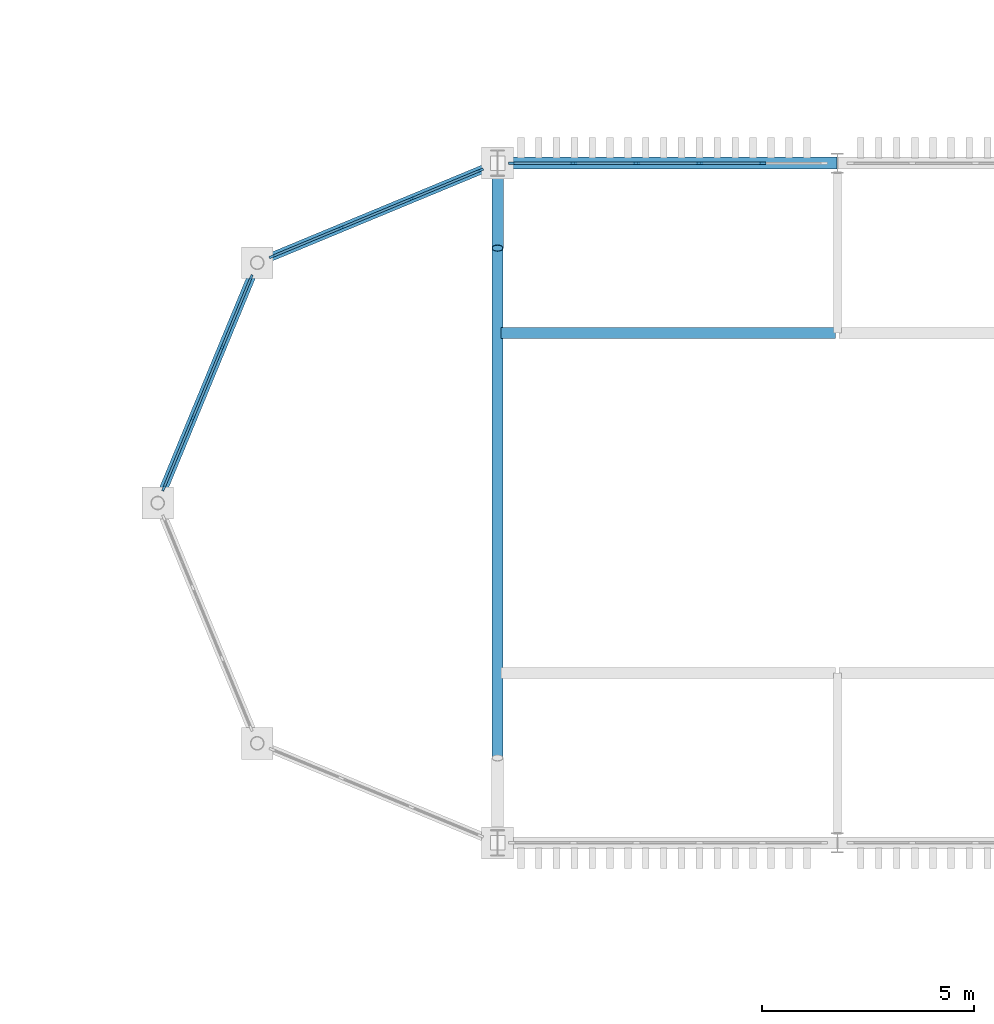
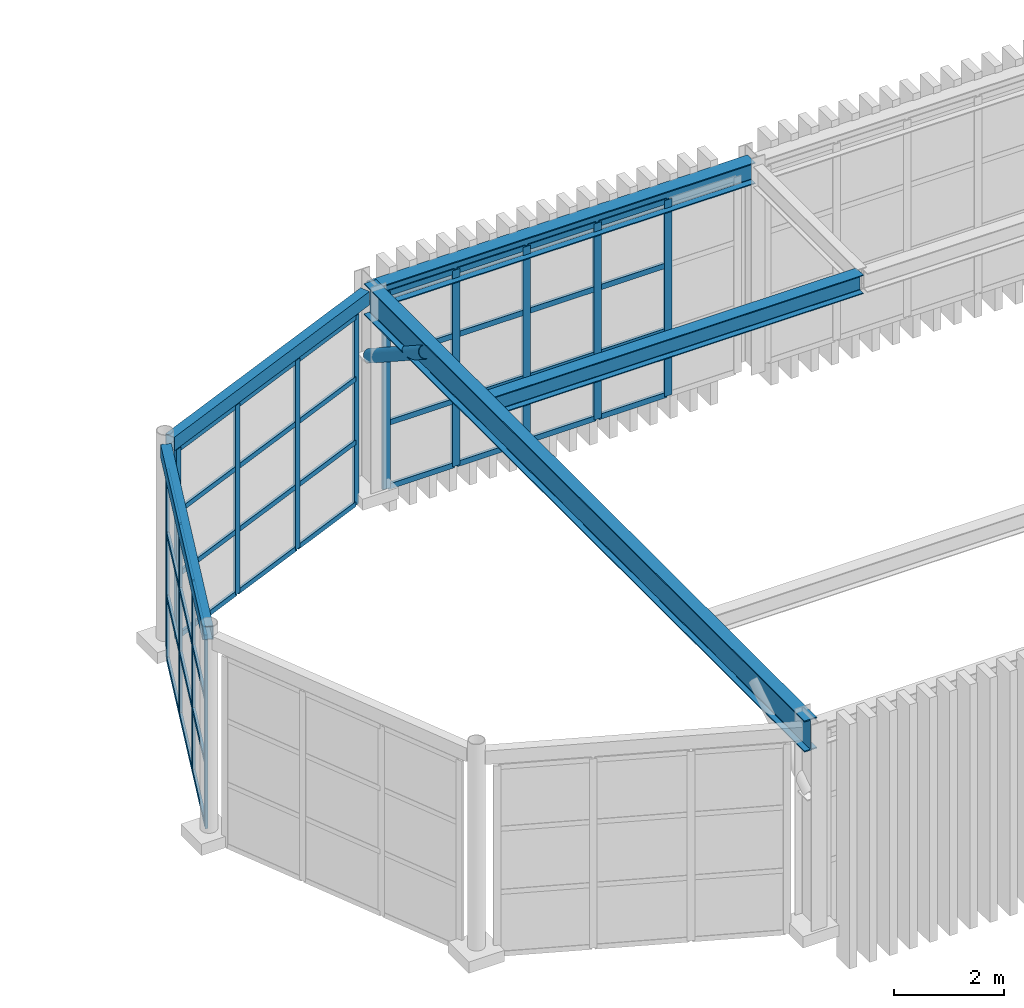
# One storey, part 22 of 61: 54 members, 5 beams, 3 elements without a shape of their own.
"""IFC4 building model written with IfcOpenShell, lengths in metres."""

from ifc_helpers import new_model, si_unit, direction, frame, origin, origin_2d, place, context, subcontext, project, spatial, rectangle, hollow_rectangle, hollow_circle, i_section, extrude, material, material_profile, profile_set, type_object, element, aggregate, save


model = new_model("IFC4")

# Units and contexts
model_context = context("Model", 3, precision=1e-05, world=origin(), true_north=direction((0.0, 1.0)))
body_context = subcontext(model_context, "Body", "Model", "MODEL_VIEW")
ifc_project = project(units=[si_unit("LENGTHUNIT", "METRE"), si_unit("AREAUNIT", "SQUARE_METRE"), si_unit("VOLUMEUNIT", "CUBIC_METRE"), si_unit("PLANEANGLEUNIT", "RADIAN"), si_unit("MASSUNIT", "GRAM", prefix="KILO")], contexts=[model_context])

# Site, building, storey
site_placement = place(None, origin())
site = spatial("IfcSite", under=ifc_project, at=site_placement, CompositionType="ELEMENT")
building_placement = place(site_placement, origin())
building = spatial("IfcBuilding", under=site, at=building_placement, Name="Serraluz Foothill Cableway Terminal", CompositionType="ELEMENT")
storey_placement = place(building_placement, frame((0.0, 0.0, 15.0)))
storey = spatial("IfcBuildingStorey", under=building, at=storey_placement, Name="L03", CompositionType="ELEMENT", Elevation=15.0)

# Beam
ifc_material_1 = material(Name="Steel ASTM A992 Grade 50", Category="steel")
ifc_material_profile_1 = material_profile(ifc_material_1, i_section(OverallWidth=0.256103515625, OverallDepth=0.693115234375, WebThickness=0.014404296875, FlangeThickness=0.023681640625, FilletRadius=0.02001953125, at=origin_2d()), Name="W27X114")
ifc_profile_set_1 = profile_set([ifc_material_profile_1], Name="Steel ASTM A992 Grade 50")
beam_type_1 = type_object("IfcBeamType", Name="TYP-BM-W27X114", PredefinedType="BEAM", material=ifc_profile_set_1)
beam_1_placement = place(storey_placement, frame((40.0, 56.0, 4.35009765625), z_axis=(0.0, 1.0, 0.0), x_axis=(-1.0, 0.0, 0.0)))
element("IfcBeam", 1, at=beam_1_placement, inside=storey, type_object=beam_type_1, Name="ROOF TRUSS TR-01 Tie Girder", PredefinedType="BEAM", context=body_context, shape_type="SweptSolid", body=[
    extrude(i_section(OverallWidth=0.256103515625, OverallDepth=0.693115234375, WebThickness=0.014404296875, FlangeThickness=0.023681640625, FilletRadius=0.02001953125, at=origin_2d()), origin(), (0.0, 0.0, 1.0), 16.0),
])

# Curtain wall, members
ifc_material_2 = material(Name="Architectural bronze alloy C28000", Category="aluminium")
curtain_wall_type_1 = type_object("IfcCurtainWallType", Name="TYP-CW-440X360", PredefinedType="NOTDEFINED", material=ifc_material_2)
curtain_wall_1_placement = place(storey_placement, origin())
curtain_wall_1 = element("IfcCurtainWall", 2, at=curtain_wall_1_placement, inside=storey, type_object=curtain_wall_type_1, Name="Ribbed Glazed Curtain Wall CW-V1-W-L03-3", PredefinedType="NOTDEFINED")
ifc_material_3 = material(Name="Extruded aluminium 6063-T6", Category="aluminium")
ifc_material_profile_2 = material_profile(ifc_material_3, rectangle(XDim=0.054931640625, YDim=0.139892578125, at=origin_2d()), Name="ALU MULLION 55x140")
ifc_profile_set_2 = profile_set([ifc_material_profile_2], Name="Extruded aluminium 6063-T6")
member_type_1 = type_object("IfcMemberType", Name="TYP-CW-MUL-55X140", PredefinedType="MULLION", material=ifc_profile_set_2)
member_1_placement = place(storey_placement, frame((32.14501953125, 64.35009765625, 0.0), z_axis=(0.0, 0.0, 1.0), x_axis=(-0.923878982655, 0.382684759834, 0.0)))
member_1 = element("IfcMember", 3, at=member_1_placement, type_object=member_type_1, Name="CW-16 mullion 1", PredefinedType="MULLION", context=body_context, shape_type="SweptSolid", body=[
    extrude(rectangle(XDim=0.054931640625, YDim=0.139892578125, at=origin_2d()), origin(), (0.0, 0.0, 1.0), 4.199951171875),
])
member_2_placement = place(storey_placement, frame((32.825927734375, 65.993896484375, 0.0), z_axis=(0.0, 0.0, 1.0), x_axis=(-0.923878982655, 0.382684759834, 0.0)))
member_2 = element("IfcMember", 4, at=member_2_placement, type_object=member_type_1, Name="CW-16 mullion 2", PredefinedType="MULLION", context=body_context, shape_type="SweptSolid", body=[
    extrude(rectangle(XDim=0.054931640625, YDim=0.139892578125, at=origin_2d()), origin(), (0.0, 0.0, 1.0), 4.199951171875),
])
member_3_placement = place(storey_placement, frame((33.517333984375, 67.6630859375, 0.0), z_axis=(0.0, 0.0, 1.0), x_axis=(-0.923878982655, 0.382684759834, 0.0)))
member_3 = element("IfcMember", 5, at=member_3_placement, type_object=member_type_1, Name="CW-16 mullion 3", PredefinedType="MULLION", context=body_context, shape_type="SweptSolid", body=[
    extrude(rectangle(XDim=0.054931640625, YDim=0.139892578125, at=origin_2d()), origin(), (0.0, 0.0, 1.0), 4.199951171875),
])
member_4_placement = place(storey_placement, frame((34.197998046875, 69.306640625, 0.0), z_axis=(0.0, 0.0, 1.0), x_axis=(-0.923878982655, 0.382684759834, 0.0)))
member_4 = element("IfcMember", 6, at=member_4_placement, type_object=member_type_1, Name="CW-16 mullion 4", PredefinedType="MULLION", context=body_context, shape_type="SweptSolid", body=[
    extrude(rectangle(XDim=0.054931640625, YDim=0.139892578125, at=origin_2d()), origin(), (0.0, 0.0, 1.0), 4.199951171875),
])

curtain_wall_type_2 = type_object("IfcCurtainWallType", Name="TYP-CW-380X420", PredefinedType="NOTDEFINED", material=ifc_material_2)
curtain_wall_2_placement = place(storey_placement, origin())
curtain_wall_2 = element("IfcCurtainWall", 7, at=curtain_wall_2_placement, inside=storey, type_object=curtain_wall_type_2, Name="Ribbed Glazed Curtain Wall CW-V1-W-L03-4", PredefinedType="NOTDEFINED")
member_5_placement = place(storey_placement, frame((34.693359375, 69.802001953125, 0.0), z_axis=(0.0, 0.0, 1.0), x_axis=(-0.382681674752, 0.923880260537, 0.0)))
member_5 = element("IfcMember", 8, at=member_5_placement, type_object=member_type_1, Name="CW-17 mullion 1", PredefinedType="MULLION", context=body_context, shape_type="SweptSolid", body=[
    extrude(rectangle(XDim=0.054931640625, YDim=0.139892578125, at=origin_2d()), origin(), (0.0, 0.0, 1.0), 4.199951171875),
])
member_6_placement = place(storey_placement, frame((36.319580078125, 70.4755859375, 0.0), z_axis=(0.0, 0.0, 1.0), x_axis=(-0.382681674752, 0.923880260537, 0.0)))
member_6 = element("IfcMember", 9, at=member_6_placement, type_object=member_type_1, Name="CW-17 mullion 2", PredefinedType="MULLION", context=body_context, shape_type="SweptSolid", body=[
    extrude(rectangle(XDim=0.054931640625, YDim=0.139892578125, at=origin_2d()), origin(), (0.0, 0.0, 1.0), 4.199951171875),
])
member_7_placement = place(storey_placement, frame((37.971435546875, 71.15966796875, 0.0), z_axis=(0.0, 0.0, 1.0), x_axis=(-0.382681674752, 0.923880260537, 0.0)))
member_7 = element("IfcMember", 10, at=member_7_placement, type_object=member_type_1, Name="CW-17 mullion 3", PredefinedType="MULLION", context=body_context, shape_type="SweptSolid", body=[
    extrude(rectangle(XDim=0.054931640625, YDim=0.139892578125, at=origin_2d()), origin(), (0.0, 0.0, 1.0), 4.199951171875),
])
member_8_placement = place(storey_placement, frame((39.59765625, 71.83349609375, 0.0), z_axis=(0.0, 0.0, 1.0), x_axis=(-0.382681674752, 0.923880260537, 0.0)))
member_8 = element("IfcMember", 11, at=member_8_placement, type_object=member_type_1, Name="CW-17 mullion 4", PredefinedType="MULLION", context=body_context, shape_type="SweptSolid", body=[
    extrude(rectangle(XDim=0.054931640625, YDim=0.139892578125, at=origin_2d()), origin(), (0.0, 0.0, 1.0), 4.199951171875),
])

curtain_wall_type_3 = type_object("IfcCurtainWallType", Name="TYP-CW-640X440", PredefinedType="NOTDEFINED", material=ifc_material_2)
curtain_wall_3_placement = place(storey_placement, origin())
curtain_wall_3 = element("IfcCurtainWall", 12, at=curtain_wall_3_placement, inside=storey, type_object=curtain_wall_type_3, Name="Ribbed Glazed Curtain Wall CW-V1N-L03-40", PredefinedType="NOTDEFINED")
ifc_material_profile_3 = material_profile(ifc_material_2, rectangle(XDim=0.06005859375, YDim=0.159912109375, at=origin_2d()), Name="ALU MULLION 60x160")
ifc_profile_set_3 = profile_set([ifc_material_profile_3], Name="Architectural bronze alloy C28000")
member_type_2 = type_object("IfcMemberType", Name="TYP-CW-MUL-60X160", PredefinedType="MULLION", material=ifc_profile_set_3)
member_9_placement = place(storey_placement, frame((40.33251953125, 72.0, 0.0), z_axis=(0.0, 0.0, 1.0), x_axis=(0.0, 1.0, 0.0)))
member_9 = element("IfcMember", 13, at=member_9_placement, type_object=member_type_2, Name="CW-12 mullion 1", PredefinedType="MULLION", context=body_context, shape_type="SweptSolid", body=[
    extrude(rectangle(XDim=0.06005859375, YDim=0.159912109375, at=origin_2d()), origin(), (0.0, 0.0, 1.0), 4.35009765625),
])
member_10_placement = place(storey_placement, frame((41.78564453125, 72.0, 0.0), z_axis=(0.0, 0.0, 1.0), x_axis=(0.0, 1.0, 0.0)))
member_10 = element("IfcMember", 14, at=member_10_placement, type_object=member_type_2, Name="CW-12 mullion 2", PredefinedType="MULLION", context=body_context, shape_type="SweptSolid", body=[
    extrude(rectangle(XDim=0.06005859375, YDim=0.159912109375, at=origin_2d()), origin(), (0.0, 0.0, 1.0), 4.35009765625),
])
member_11_placement = place(storey_placement, frame((43.268798828125, 72.0, 0.0), z_axis=(0.0, 0.0, 1.0), x_axis=(0.0, 1.0, 0.0)))
member_11 = element("IfcMember", 15, at=member_11_placement, type_object=member_type_2, Name="CW-12 mullion 3", PredefinedType="MULLION", context=body_context, shape_type="SweptSolid", body=[
    extrude(rectangle(XDim=0.06005859375, YDim=0.159912109375, at=origin_2d()), origin(), (0.0, 0.0, 1.0), 4.35009765625),
])
member_12_placement = place(storey_placement, frame((44.752197265625, 72.0, 0.0), z_axis=(0.0, 0.0, 1.0), x_axis=(0.0, 1.0, 0.0)))
member_12 = element("IfcMember", 16, at=member_12_placement, type_object=member_type_2, Name="CW-12 mullion 4", PredefinedType="MULLION", context=body_context, shape_type="SweptSolid", body=[
    extrude(rectangle(XDim=0.06005859375, YDim=0.159912109375, at=origin_2d()), origin(), (0.0, 0.0, 1.0), 4.35009765625),
])
member_13_placement = place(storey_placement, frame((46.2353515625, 72.0, 0.0), z_axis=(0.0, 0.0, 1.0), x_axis=(0.0, 1.0, 0.0)))
member_13 = element("IfcMember", 17, at=member_13_placement, type_object=member_type_2, Name="CW-12 mullion 5", PredefinedType="MULLION", context=body_context, shape_type="SweptSolid", body=[
    extrude(rectangle(XDim=0.06005859375, YDim=0.159912109375, at=origin_2d()), origin(), (0.0, 0.0, 1.0), 4.35009765625),
])

# Member
ifc_material_profile_4 = material_profile(ifc_material_3, rectangle(XDim=0.054931640625, YDim=0.110107421875, at=origin_2d()), Name="ALU TRANSOM 55x110")
ifc_profile_set_4 = profile_set([ifc_material_profile_4], Name="Extruded aluminium 6063-T6")
member_type_3 = type_object("IfcMemberType", Name="TYP-CW-TRN-55X110", PredefinedType="USERDEFINED", material=ifc_profile_set_4)
member_14_placement = place(storey_placement, frame((32.155517578125, 64.375732421875, 0.027587890625), z_axis=(0.382764500292, 0.92384594891, 0.0), x_axis=(-0.92384594891, 0.382764500292, 0.0)))
member_14 = element("IfcMember", 18, at=member_14_placement, type_object=member_type_3, Name="CW-16 transom 1.1", ObjectType="TRANSOM", PredefinedType="USERDEFINED", context=body_context, shape_type="SweptSolid", body=[
    extrude(rectangle(XDim=0.054931640625, YDim=0.110107421875, at=origin_2d()), origin(), (0.0, 0.0, 1.0), 1.72412109375),
])

member_15_placement = place(storey_placement, frame((32.155517578125, 64.375732421875, 1.39990234375), z_axis=(0.382764500292, 0.92384594891, 0.0), x_axis=(-0.92384594891, 0.382764500292, 0.0)))
member_15 = element("IfcMember", 19, at=member_15_placement, type_object=member_type_3, Name="CW-16 transom 1.2", ObjectType="TRANSOM", PredefinedType="USERDEFINED", context=body_context, shape_type="SweptSolid", body=[
    extrude(rectangle(XDim=0.054931640625, YDim=0.110107421875, at=origin_2d()), origin(), (0.0, 0.0, 1.0), 1.72412109375),
])

member_16_placement = place(storey_placement, frame((32.155517578125, 64.375732421875, 2.800048828125), z_axis=(0.382764500292, 0.92384594891, 0.0), x_axis=(-0.92384594891, 0.382764500292, 0.0)))
member_16 = element("IfcMember", 20, at=member_16_placement, type_object=member_type_3, Name="CW-16 transom 1.3", ObjectType="TRANSOM", PredefinedType="USERDEFINED", context=body_context, shape_type="SweptSolid", body=[
    extrude(rectangle(XDim=0.054931640625, YDim=0.110107421875, at=origin_2d()), origin(), (0.0, 0.0, 1.0), 1.72412109375),
])

member_17_placement = place(storey_placement, frame((32.155517578125, 64.375732421875, 4.172607421875), z_axis=(0.382764500292, 0.92384594891, 0.0), x_axis=(-0.92384594891, 0.382764500292, 0.0)))
member_17 = element("IfcMember", 21, at=member_17_placement, type_object=member_type_3, Name="CW-16 transom 1.4", ObjectType="TRANSOM", PredefinedType="USERDEFINED", context=body_context, shape_type="SweptSolid", body=[
    extrude(rectangle(XDim=0.054931640625, YDim=0.110107421875, at=origin_2d()), origin(), (0.0, 0.0, 1.0), 1.72412109375),
])

member_18_placement = place(storey_placement, frame((32.83642578125, 66.019287109375, 0.027587890625), z_axis=(0.382585676577, 0.923920018226, 0.0), x_axis=(-0.923920018226, 0.382585676577, 0.0)))
member_18 = element("IfcMember", 22, at=member_18_placement, type_object=member_type_3, Name="CW-16 transom 2.1", ObjectType="TRANSOM", PredefinedType="USERDEFINED", context=body_context, shape_type="SweptSolid", body=[
    extrude(rectangle(XDim=0.054931640625, YDim=0.110107421875, at=origin_2d()), origin(), (0.0, 0.0, 1.0), 1.751708984375),
])

member_19_placement = place(storey_placement, frame((32.83642578125, 66.019287109375, 1.39990234375), z_axis=(0.382585676577, 0.923920018226, 0.0), x_axis=(-0.923920018226, 0.382585676577, 0.0)))
member_19 = element("IfcMember", 23, at=member_19_placement, type_object=member_type_3, Name="CW-16 transom 2.2", ObjectType="TRANSOM", PredefinedType="USERDEFINED", context=body_context, shape_type="SweptSolid", body=[
    extrude(rectangle(XDim=0.054931640625, YDim=0.110107421875, at=origin_2d()), origin(), (0.0, 0.0, 1.0), 1.751708984375),
])

member_20_placement = place(storey_placement, frame((32.83642578125, 66.019287109375, 2.800048828125), z_axis=(0.382585676577, 0.923920018226, 0.0), x_axis=(-0.923920018226, 0.382585676577, 0.0)))
member_20 = element("IfcMember", 24, at=member_20_placement, type_object=member_type_3, Name="CW-16 transom 2.3", ObjectType="TRANSOM", PredefinedType="USERDEFINED", context=body_context, shape_type="SweptSolid", body=[
    extrude(rectangle(XDim=0.054931640625, YDim=0.110107421875, at=origin_2d()), origin(), (0.0, 0.0, 1.0), 1.751708984375),
])

member_21_placement = place(storey_placement, frame((32.83642578125, 66.019287109375, 4.172607421875), z_axis=(0.382585676577, 0.923920018226, 0.0), x_axis=(-0.923920018226, 0.382585676577, 0.0)))
member_21 = element("IfcMember", 25, at=member_21_placement, type_object=member_type_3, Name="CW-16 transom 2.4", ObjectType="TRANSOM", PredefinedType="USERDEFINED", context=body_context, shape_type="SweptSolid", body=[
    extrude(rectangle(XDim=0.054931640625, YDim=0.110107421875, at=origin_2d()), origin(), (0.0, 0.0, 1.0), 1.751708984375),
])

member_22_placement = place(storey_placement, frame((33.52783203125, 67.6884765625, 0.027587890625), z_axis=(0.382643629872, 0.923896018239, 0.0), x_axis=(-0.923896018239, 0.382643629872, 0.0)))
member_22 = element("IfcMember", 26, at=member_22_placement, type_object=member_type_3, Name="CW-16 transom 3.1", ObjectType="TRANSOM", PredefinedType="USERDEFINED", context=body_context, shape_type="SweptSolid", body=[
    extrude(rectangle(XDim=0.054931640625, YDim=0.110107421875, at=origin_2d()), origin(), (0.0, 0.0, 1.0), 1.723876953125),
])

member_23_placement = place(storey_placement, frame((33.52783203125, 67.6884765625, 1.39990234375), z_axis=(0.382643629872, 0.923896018239, 0.0), x_axis=(-0.923896018239, 0.382643629872, 0.0)))
member_23 = element("IfcMember", 27, at=member_23_placement, type_object=member_type_3, Name="CW-16 transom 3.2", ObjectType="TRANSOM", PredefinedType="USERDEFINED", context=body_context, shape_type="SweptSolid", body=[
    extrude(rectangle(XDim=0.054931640625, YDim=0.110107421875, at=origin_2d()), origin(), (0.0, 0.0, 1.0), 1.723876953125),
])

member_24_placement = place(storey_placement, frame((33.52783203125, 67.6884765625, 2.800048828125), z_axis=(0.382643629872, 0.923896018239, 0.0), x_axis=(-0.923896018239, 0.382643629872, 0.0)))
member_24 = element("IfcMember", 28, at=member_24_placement, type_object=member_type_3, Name="CW-16 transom 3.3", ObjectType="TRANSOM", PredefinedType="USERDEFINED", context=body_context, shape_type="SweptSolid", body=[
    extrude(rectangle(XDim=0.054931640625, YDim=0.110107421875, at=origin_2d()), origin(), (0.0, 0.0, 1.0), 1.723876953125),
])

member_25_placement = place(storey_placement, frame((33.52783203125, 67.6884765625, 4.172607421875), z_axis=(0.382643629872, 0.923896018239, 0.0), x_axis=(-0.923896018239, 0.382643629872, 0.0)))
member_25 = element("IfcMember", 29, at=member_25_placement, type_object=member_type_3, Name="CW-16 transom 3.4", ObjectType="TRANSOM", PredefinedType="USERDEFINED", context=body_context, shape_type="SweptSolid", body=[
    extrude(rectangle(XDim=0.054931640625, YDim=0.110107421875, at=origin_2d()), origin(), (0.0, 0.0, 1.0), 1.723876953125),
])

aggregate(curtain_wall_1, [member_1, member_2, member_3, member_4, member_14, member_15, member_16, member_17, member_18, member_19, member_20, member_21, member_22, member_23, member_24, member_25])

member_26_placement = place(storey_placement, frame((34.71875, 69.8125, 0.027587890625), z_axis=(0.923875488976, 0.382693194178, 0.0), x_axis=(-0.382693194178, 0.923875488976, 0.0)))
member_26 = element("IfcMember", 30, at=member_26_placement, type_object=member_type_3, Name="CW-17 transom 1.1", ObjectType="TRANSOM", PredefinedType="USERDEFINED", context=body_context, shape_type="SweptSolid", body=[
    extrude(rectangle(XDim=0.054931640625, YDim=0.110107421875, at=origin_2d()), origin(), (0.0, 0.0, 1.0), 1.705322265625),
])

member_27_placement = place(storey_placement, frame((34.71875, 69.8125, 1.39990234375), z_axis=(0.923875488976, 0.382693194178, 0.0), x_axis=(-0.382693194178, 0.923875488976, 0.0)))
member_27 = element("IfcMember", 31, at=member_27_placement, type_object=member_type_3, Name="CW-17 transom 1.2", ObjectType="TRANSOM", PredefinedType="USERDEFINED", context=body_context, shape_type="SweptSolid", body=[
    extrude(rectangle(XDim=0.054931640625, YDim=0.110107421875, at=origin_2d()), origin(), (0.0, 0.0, 1.0), 1.705322265625),
])

member_28_placement = place(storey_placement, frame((34.71875, 69.8125, 2.800048828125), z_axis=(0.923875488976, 0.382693194178, 0.0), x_axis=(-0.382693194178, 0.923875488976, 0.0)))
member_28 = element("IfcMember", 32, at=member_28_placement, type_object=member_type_3, Name="CW-17 transom 1.3", ObjectType="TRANSOM", PredefinedType="USERDEFINED", context=body_context, shape_type="SweptSolid", body=[
    extrude(rectangle(XDim=0.054931640625, YDim=0.110107421875, at=origin_2d()), origin(), (0.0, 0.0, 1.0), 1.705322265625),
])

member_29_placement = place(storey_placement, frame((34.71875, 69.8125, 4.172607421875), z_axis=(0.923875488976, 0.382693194178, 0.0), x_axis=(-0.382693194178, 0.923875488976, 0.0)))
member_29 = element("IfcMember", 33, at=member_29_placement, type_object=member_type_3, Name="CW-17 transom 1.4", ObjectType="TRANSOM", PredefinedType="USERDEFINED", context=body_context, shape_type="SweptSolid", body=[
    extrude(rectangle(XDim=0.054931640625, YDim=0.110107421875, at=origin_2d()), origin(), (0.0, 0.0, 1.0), 1.705322265625),
])

member_30_placement = place(storey_placement, frame((36.344970703125, 70.486083984375, 0.027587890625), z_axis=(0.923900079523, 0.382633823724, 0.0), x_axis=(-0.382633823724, 0.923900079523, 0.0)))
member_30 = element("IfcMember", 34, at=member_30_placement, type_object=member_type_3, Name="CW-17 transom 2.1", ObjectType="TRANSOM", PredefinedType="USERDEFINED", context=body_context, shape_type="SweptSolid", body=[
    extrude(rectangle(XDim=0.054931640625, YDim=0.110107421875, at=origin_2d()), origin(), (0.0, 0.0, 1.0), 1.73291015625),
])

member_31_placement = place(storey_placement, frame((36.344970703125, 70.486083984375, 1.39990234375), z_axis=(0.923900079523, 0.382633823724, 0.0), x_axis=(-0.382633823724, 0.923900079523, 0.0)))
member_31 = element("IfcMember", 35, at=member_31_placement, type_object=member_type_3, Name="CW-17 transom 2.2", ObjectType="TRANSOM", PredefinedType="USERDEFINED", context=body_context, shape_type="SweptSolid", body=[
    extrude(rectangle(XDim=0.054931640625, YDim=0.110107421875, at=origin_2d()), origin(), (0.0, 0.0, 1.0), 1.73291015625),
])

member_32_placement = place(storey_placement, frame((36.344970703125, 70.486083984375, 2.800048828125), z_axis=(0.923900079523, 0.382633823724, 0.0), x_axis=(-0.382633823724, 0.923900079523, 0.0)))
member_32 = element("IfcMember", 36, at=member_32_placement, type_object=member_type_3, Name="CW-17 transom 2.3", ObjectType="TRANSOM", PredefinedType="USERDEFINED", context=body_context, shape_type="SweptSolid", body=[
    extrude(rectangle(XDim=0.054931640625, YDim=0.110107421875, at=origin_2d()), origin(), (0.0, 0.0, 1.0), 1.73291015625),
])

member_33_placement = place(storey_placement, frame((36.344970703125, 70.486083984375, 4.172607421875), z_axis=(0.923900079523, 0.382633823724, 0.0), x_axis=(-0.382633823724, 0.923900079523, 0.0)))
member_33 = element("IfcMember", 37, at=member_33_placement, type_object=member_type_3, Name="CW-17 transom 2.4", ObjectType="TRANSOM", PredefinedType="USERDEFINED", context=body_context, shape_type="SweptSolid", body=[
    extrude(rectangle(XDim=0.054931640625, YDim=0.110107421875, at=origin_2d()), origin(), (0.0, 0.0, 1.0), 1.73291015625),
])

member_34_placement = place(storey_placement, frame((37.996826171875, 71.170166015625, 0.027587890625), z_axis=(0.923875488976, 0.382693194178, 0.0), x_axis=(-0.382693194178, 0.923875488976, 0.0)))
member_34 = element("IfcMember", 38, at=member_34_placement, type_object=member_type_3, Name="CW-17 transom 3.1", ObjectType="TRANSOM", PredefinedType="USERDEFINED", context=body_context, shape_type="SweptSolid", body=[
    extrude(rectangle(XDim=0.054931640625, YDim=0.110107421875, at=origin_2d()), origin(), (0.0, 0.0, 1.0), 1.705322265625),
])

member_35_placement = place(storey_placement, frame((37.996826171875, 71.170166015625, 1.39990234375), z_axis=(0.923875488976, 0.382693194178, 0.0), x_axis=(-0.382693194178, 0.923875488976, 0.0)))
member_35 = element("IfcMember", 39, at=member_35_placement, type_object=member_type_3, Name="CW-17 transom 3.2", ObjectType="TRANSOM", PredefinedType="USERDEFINED", context=body_context, shape_type="SweptSolid", body=[
    extrude(rectangle(XDim=0.054931640625, YDim=0.110107421875, at=origin_2d()), origin(), (0.0, 0.0, 1.0), 1.705322265625),
])

member_36_placement = place(storey_placement, frame((37.996826171875, 71.170166015625, 2.800048828125), z_axis=(0.923875488976, 0.382693194178, 0.0), x_axis=(-0.382693194178, 0.923875488976, 0.0)))
member_36 = element("IfcMember", 40, at=member_36_placement, type_object=member_type_3, Name="CW-17 transom 3.3", ObjectType="TRANSOM", PredefinedType="USERDEFINED", context=body_context, shape_type="SweptSolid", body=[
    extrude(rectangle(XDim=0.054931640625, YDim=0.110107421875, at=origin_2d()), origin(), (0.0, 0.0, 1.0), 1.705322265625),
])

member_37_placement = place(storey_placement, frame((37.996826171875, 71.170166015625, 4.172607421875), z_axis=(0.923875488976, 0.382693194178, 0.0), x_axis=(-0.382693194178, 0.923875488976, 0.0)))
member_37 = element("IfcMember", 41, at=member_37_placement, type_object=member_type_3, Name="CW-17 transom 3.4", ObjectType="TRANSOM", PredefinedType="USERDEFINED", context=body_context, shape_type="SweptSolid", body=[
    extrude(rectangle(XDim=0.054931640625, YDim=0.110107421875, at=origin_2d()), origin(), (0.0, 0.0, 1.0), 1.705322265625),
])

aggregate(curtain_wall_2, [member_5, member_6, member_7, member_8, member_26, member_27, member_28, member_29, member_30, member_31, member_32, member_33, member_34, member_35, member_36, member_37])

ifc_material_profile_5 = material_profile(ifc_material_2, rectangle(XDim=0.06005859375, YDim=0.1201171875, at=origin_2d()), Name="ALU TRANSOM 60x120")
ifc_profile_set_5 = profile_set([ifc_material_profile_5], Name="Architectural bronze alloy C28000")
member_type_4 = type_object("IfcMemberType", Name="TYP-CW-TRN-60X120", PredefinedType="USERDEFINED", material=ifc_profile_set_5)
member_38_placement = place(storey_placement, frame((40.362548828125, 72.0, 0.030029296875), z_axis=(1.0, 0.0, 0.0), x_axis=(0.0, 1.0, 0.0)))
member_38 = element("IfcMember", 42, at=member_38_placement, type_object=member_type_4, Name="CW-12 transom 1.1", ObjectType="TRANSOM", PredefinedType="USERDEFINED", context=body_context, shape_type="SweptSolid", body=[
    extrude(rectangle(XDim=0.06005859375, YDim=0.1201171875, at=origin_2d()), origin(), (0.0, 0.0, 1.0), 1.39306640625),
])

member_39_placement = place(storey_placement, frame((40.362548828125, 72.0, 1.449951171875), z_axis=(1.0, 0.0, 0.0), x_axis=(0.0, 1.0, 0.0)))
member_39 = element("IfcMember", 43, at=member_39_placement, type_object=member_type_4, Name="CW-12 transom 1.2", ObjectType="TRANSOM", PredefinedType="USERDEFINED", context=body_context, shape_type="SweptSolid", body=[
    extrude(rectangle(XDim=0.06005859375, YDim=0.1201171875, at=origin_2d()), origin(), (0.0, 0.0, 1.0), 1.39306640625),
])

member_40_placement = place(storey_placement, frame((40.362548828125, 72.0, 2.89990234375), z_axis=(1.0, 0.0, 0.0), x_axis=(0.0, 1.0, 0.0)))
member_40 = element("IfcMember", 44, at=member_40_placement, type_object=member_type_4, Name="CW-12 transom 1.3", ObjectType="TRANSOM", PredefinedType="USERDEFINED", context=body_context, shape_type="SweptSolid", body=[
    extrude(rectangle(XDim=0.06005859375, YDim=0.1201171875, at=origin_2d()), origin(), (0.0, 0.0, 1.0), 1.39306640625),
])

member_41_placement = place(storey_placement, frame((40.362548828125, 72.0, 4.320068359375), z_axis=(1.0, 0.0, 0.0), x_axis=(0.0, 1.0, 0.0)))
member_41 = element("IfcMember", 45, at=member_41_placement, type_object=member_type_4, Name="CW-12 transom 1.4", ObjectType="TRANSOM", PredefinedType="USERDEFINED", context=body_context, shape_type="SweptSolid", body=[
    extrude(rectangle(XDim=0.06005859375, YDim=0.1201171875, at=origin_2d()), origin(), (0.0, 0.0, 1.0), 1.39306640625),
])

member_42_placement = place(storey_placement, frame((41.815673828125, 72.0, 0.030029296875), z_axis=(1.0, 0.0, 0.0), x_axis=(0.0, 1.0, 0.0)))
member_42 = element("IfcMember", 46, at=member_42_placement, type_object=member_type_4, Name="CW-12 transom 2.1", ObjectType="TRANSOM", PredefinedType="USERDEFINED", context=body_context, shape_type="SweptSolid", body=[
    extrude(rectangle(XDim=0.06005859375, YDim=0.1201171875, at=origin_2d()), origin(), (0.0, 0.0, 1.0), 1.42333984375),
])

member_43_placement = place(storey_placement, frame((41.815673828125, 72.0, 1.449951171875), z_axis=(1.0, 0.0, 0.0), x_axis=(0.0, 1.0, 0.0)))
member_43 = element("IfcMember", 47, at=member_43_placement, type_object=member_type_4, Name="CW-12 transom 2.2", ObjectType="TRANSOM", PredefinedType="USERDEFINED", context=body_context, shape_type="SweptSolid", body=[
    extrude(rectangle(XDim=0.06005859375, YDim=0.1201171875, at=origin_2d()), origin(), (0.0, 0.0, 1.0), 1.42333984375),
])

member_44_placement = place(storey_placement, frame((41.815673828125, 72.0, 2.89990234375), z_axis=(1.0, 0.0, 0.0), x_axis=(0.0, 1.0, 0.0)))
member_44 = element("IfcMember", 48, at=member_44_placement, type_object=member_type_4, Name="CW-12 transom 2.3", ObjectType="TRANSOM", PredefinedType="USERDEFINED", context=body_context, shape_type="SweptSolid", body=[
    extrude(rectangle(XDim=0.06005859375, YDim=0.1201171875, at=origin_2d()), origin(), (0.0, 0.0, 1.0), 1.42333984375),
])

member_45_placement = place(storey_placement, frame((41.815673828125, 72.0, 4.320068359375), z_axis=(1.0, 0.0, 0.0), x_axis=(0.0, 1.0, 0.0)))
member_45 = element("IfcMember", 49, at=member_45_placement, type_object=member_type_4, Name="CW-12 transom 2.4", ObjectType="TRANSOM", PredefinedType="USERDEFINED", context=body_context, shape_type="SweptSolid", body=[
    extrude(rectangle(XDim=0.06005859375, YDim=0.1201171875, at=origin_2d()), origin(), (0.0, 0.0, 1.0), 1.42333984375),
])

member_46_placement = place(storey_placement, frame((43.298828125, 72.0, 0.030029296875), z_axis=(1.0, 0.0, 0.0), x_axis=(0.0, 1.0, 0.0)))
member_46 = element("IfcMember", 50, at=member_46_placement, type_object=member_type_4, Name="CW-12 transom 3.1", ObjectType="TRANSOM", PredefinedType="USERDEFINED", context=body_context, shape_type="SweptSolid", body=[
    extrude(rectangle(XDim=0.06005859375, YDim=0.1201171875, at=origin_2d()), origin(), (0.0, 0.0, 1.0), 1.42333984375),
])

member_47_placement = place(storey_placement, frame((43.298828125, 72.0, 1.449951171875), z_axis=(1.0, 0.0, 0.0), x_axis=(0.0, 1.0, 0.0)))
member_47 = element("IfcMember", 51, at=member_47_placement, type_object=member_type_4, Name="CW-12 transom 3.2", ObjectType="TRANSOM", PredefinedType="USERDEFINED", context=body_context, shape_type="SweptSolid", body=[
    extrude(rectangle(XDim=0.06005859375, YDim=0.1201171875, at=origin_2d()), origin(), (0.0, 0.0, 1.0), 1.42333984375),
])

member_48_placement = place(storey_placement, frame((43.298828125, 72.0, 2.89990234375), z_axis=(1.0, 0.0, 0.0), x_axis=(0.0, 1.0, 0.0)))
member_48 = element("IfcMember", 52, at=member_48_placement, type_object=member_type_4, Name="CW-12 transom 3.3", ObjectType="TRANSOM", PredefinedType="USERDEFINED", context=body_context, shape_type="SweptSolid", body=[
    extrude(rectangle(XDim=0.06005859375, YDim=0.1201171875, at=origin_2d()), origin(), (0.0, 0.0, 1.0), 1.42333984375),
])

member_49_placement = place(storey_placement, frame((43.298828125, 72.0, 4.320068359375), z_axis=(1.0, 0.0, 0.0), x_axis=(0.0, 1.0, 0.0)))
member_49 = element("IfcMember", 53, at=member_49_placement, type_object=member_type_4, Name="CW-12 transom 3.4", ObjectType="TRANSOM", PredefinedType="USERDEFINED", context=body_context, shape_type="SweptSolid", body=[
    extrude(rectangle(XDim=0.06005859375, YDim=0.1201171875, at=origin_2d()), origin(), (0.0, 0.0, 1.0), 1.42333984375),
])

member_50_placement = place(storey_placement, frame((44.781982421875, 72.0, 0.030029296875), z_axis=(1.0, 0.0, 0.0), x_axis=(0.0, 1.0, 0.0)))
member_50 = element("IfcMember", 54, at=member_50_placement, type_object=member_type_4, Name="CW-12 transom 4.1", ObjectType="TRANSOM", PredefinedType="USERDEFINED", context=body_context, shape_type="SweptSolid", body=[
    extrude(rectangle(XDim=0.06005859375, YDim=0.1201171875, at=origin_2d()), origin(), (0.0, 0.0, 1.0), 1.42333984375),
])

member_51_placement = place(storey_placement, frame((44.781982421875, 72.0, 1.449951171875), z_axis=(1.0, 0.0, 0.0), x_axis=(0.0, 1.0, 0.0)))
member_51 = element("IfcMember", 55, at=member_51_placement, type_object=member_type_4, Name="CW-12 transom 4.2", ObjectType="TRANSOM", PredefinedType="USERDEFINED", context=body_context, shape_type="SweptSolid", body=[
    extrude(rectangle(XDim=0.06005859375, YDim=0.1201171875, at=origin_2d()), origin(), (0.0, 0.0, 1.0), 1.42333984375),
])

member_52_placement = place(storey_placement, frame((44.781982421875, 72.0, 2.89990234375), z_axis=(1.0, 0.0, 0.0), x_axis=(0.0, 1.0, 0.0)))
member_52 = element("IfcMember", 56, at=member_52_placement, type_object=member_type_4, Name="CW-12 transom 4.3", ObjectType="TRANSOM", PredefinedType="USERDEFINED", context=body_context, shape_type="SweptSolid", body=[
    extrude(rectangle(XDim=0.06005859375, YDim=0.1201171875, at=origin_2d()), origin(), (0.0, 0.0, 1.0), 1.42333984375),
])

member_53_placement = place(storey_placement, frame((44.781982421875, 72.0, 4.320068359375), z_axis=(1.0, 0.0, 0.0), x_axis=(0.0, 1.0, 0.0)))
member_53 = element("IfcMember", 57, at=member_53_placement, type_object=member_type_4, Name="CW-12 transom 4.4", ObjectType="TRANSOM", PredefinedType="USERDEFINED", context=body_context, shape_type="SweptSolid", body=[
    extrude(rectangle(XDim=0.06005859375, YDim=0.1201171875, at=origin_2d()), origin(), (0.0, 0.0, 1.0), 1.42333984375),
])

aggregate(curtain_wall_3, [member_9, member_10, member_11, member_12, member_13, member_38, member_39, member_40, member_41, member_42, member_43, member_44, member_45, member_46, member_47, member_48, member_49, member_50, member_51, member_52, member_53])

# Beams
ifc_material_profile_6 = material_profile(ifc_material_1, i_section(OverallWidth=0.260009765625, OverallDepth=0.4189453125, WebThickness=0.01171875, FlangeThickness=0.019287109375, FilletRadius=0.013916015625, at=origin_2d()), Name="W16X77")
ifc_profile_set_6 = profile_set([ifc_material_profile_6], Name="Steel ASTM A992 Grade 50")
beam_type_2 = type_object("IfcBeamType", Name="TYP-JS-W16X77", PredefinedType="JOIST", material=ifc_profile_set_6)
beam_2_placement = place(storey_placement, frame((40.0849609375, 68.0, 4.35009765625), z_axis=(1.0, 0.0, 0.0), x_axis=(0.0, 1.0, 0.0)))
element("IfcBeam", 58, at=beam_2_placement, inside=storey, type_object=beam_type_2, Name="Eaves Gallery Support Beam 40-68", PredefinedType="JOIST", context=body_context, shape_type="SweptSolid", body=[
    extrude(i_section(OverallWidth=0.260009765625, OverallDepth=0.4189453125, WebThickness=0.01171875, FlangeThickness=0.019287109375, FilletRadius=0.013916015625, at=origin_2d()), origin(), (0.0, 0.0, 1.0), 7.875),
])
ifc_material_4 = material(Name="Steel ASTM A572 Grade 50", Category="steel")
ifc_material_profile_7 = material_profile(ifc_material_4, hollow_rectangle(XDim=0.199951171875, YDim=0.300048828125, WallThickness=0.011962890625, at=origin_2d()), Name="HSS300X200X12")
ifc_profile_set_7 = profile_set([ifc_material_profile_7], Name="Steel ASTM A572 Grade 50")
beam_type_3 = type_object("IfcBeamType", Name="TYP-SP-HSS300X200", PredefinedType="SPANDREL", material=ifc_profile_set_7)
for number, where, z_axis, x_axis, name in (
    (59, (32.057373046875, 64.138671875, 4.449951171875), (0.382676423435, 0.923882435674, 0.0), (-0.923882435674, 0.382676423435, 0.0), "Curved End Ring Beam W-L03-3"),
    (60, (34.481689453125, 69.71435546875, 4.449951171875), (0.923882435674, 0.382676423435, 0.0), (-0.382676423435, 0.923882435674, 0.0), "Curved End Ring Beam W-L03-4"),
):
    element("IfcBeam", number, at=place(storey_placement, frame(where, z_axis=z_axis, x_axis=x_axis)), inside=storey, type_object=beam_type_3, Name=name, PredefinedType="SPANDREL", context=body_context, shape_type="SweptSolid", body=[
        extrude(hollow_rectangle(XDim=0.199951171875, YDim=0.300048828125, WallThickness=0.011962890625, at=origin_2d()), origin(), (0.0, 0.0, 1.0), 5.82275390625),
    ])
ifc_material_profile_8 = material_profile(ifc_material_1, i_section(OverallWidth=0.282958984375, OverallDepth=0.471923828125, WebThickness=0.013671875, FlangeThickness=0.022216796875, FilletRadius=0.014892578125, at=origin_2d()), Name="W18X97")
ifc_profile_set_8 = profile_set([ifc_material_profile_8], Name="Steel ASTM A992 Grade 50")
beam_type_4 = type_object("IfcBeamType", Name="TYP-SP-W18X97", PredefinedType="SPANDREL", material=ifc_profile_set_8)
beam_3_placement = place(storey_placement, frame((40.0048828125, 72.0, 4.384033203125), z_axis=(1.0, 0.0, 0.0), x_axis=(0.0, 1.0, 0.0)))
element("IfcBeam", 61, at=beam_3_placement, inside=storey, type_object=beam_type_4, Name="Primary Girder BM-X-L03-0363", PredefinedType="SPANDREL", context=body_context, shape_type="SweptSolid", body=[
    extrude(i_section(OverallWidth=0.282958984375, OverallDepth=0.471923828125, WebThickness=0.013671875, FlangeThickness=0.022216796875, FilletRadius=0.014892578125, at=origin_2d()), origin(), (0.0, 0.0, 1.0), 7.990234375),
])

# Member
ifc_material_profile_9 = material_profile(ifc_material_4, hollow_circle(Radius=0.136474609375, WallThickness=0.011962890625, at=origin_2d()), Name="CHS273X12")
ifc_profile_set_9 = profile_set([ifc_material_profile_9], Name="Steel ASTM A572 Grade 50")
member_type_5 = type_object("IfcMemberType", Name="TYP-ST-CHS273", PredefinedType="STRUT", material=ifc_profile_set_9)
member_54_placement = place(storey_placement, frame((40.0, 72.0, 3.050048828125), z_axis=(0.0, -0.838434262763, 0.545002740383), x_axis=(1.0, 0.0, 0.0)))
element("IfcMember", 62, at=member_54_placement, inside=storey, type_object=member_type_5, Name="Portal Knee Strut STRUT-TR-01-N", PredefinedType="STRUT", context=body_context, shape_type="SweptSolid", body=[
    extrude(hollow_circle(Radius=0.136474609375, WallThickness=0.011962890625, at=origin_2d()), origin(), (0.0, 0.0, 1.0), 2.385498046875),
])

save(model, "model.ifc")
